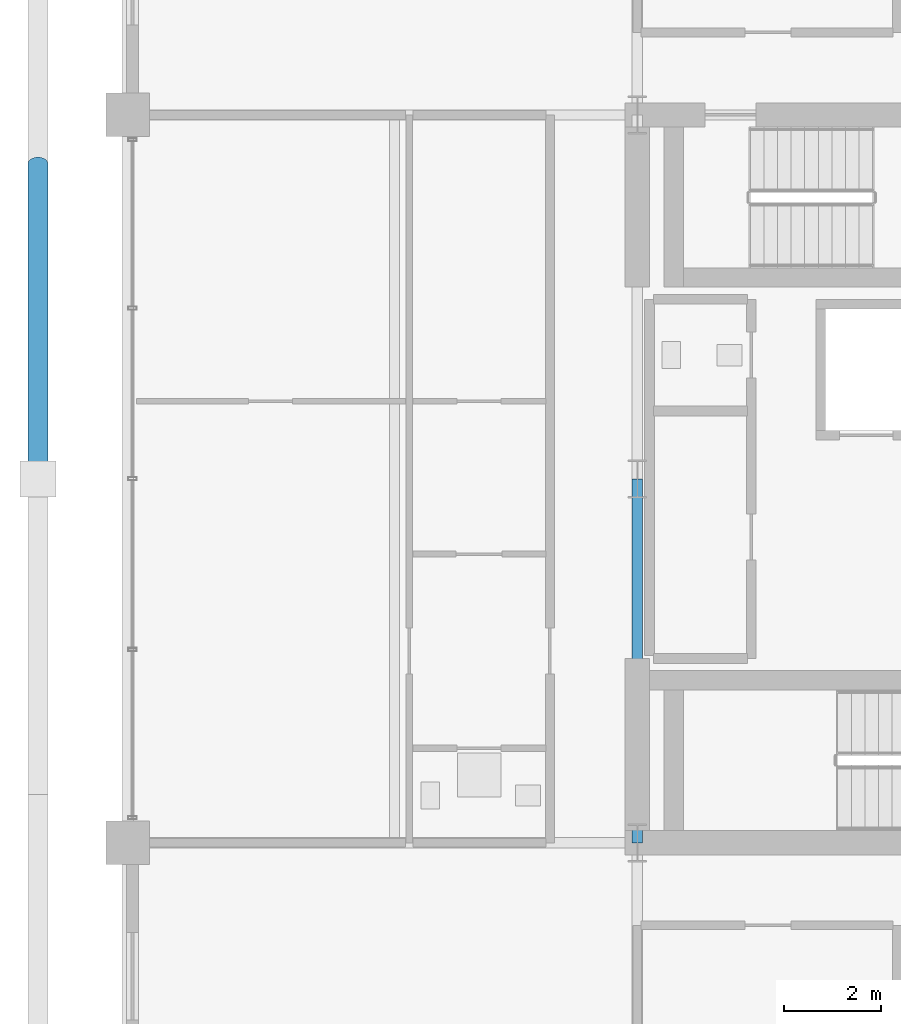
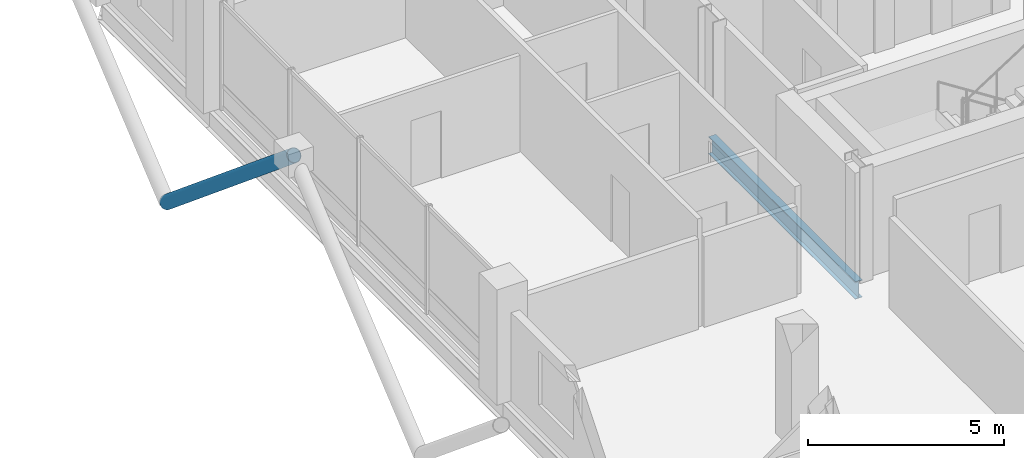
# One storey, part 8 of 23: 1 beam, 1 member.
"""IFC4 building model written with IfcOpenShell, lengths in metres."""

from ifc_helpers import new_model, si_unit, direction, frame, origin, origin_2d, place, context, subcontext, project, spatial, hollow_circle, i_section, extrude, material, material_profile, profile_set, type_object, element, save


model = new_model("IFC4")

# Units and contexts
model_context = context("Model", 3, precision=1e-05, world=origin(), true_north=direction((0.0, 1.0)))
body_context = subcontext(model_context, "Body", "Model", "MODEL_VIEW")
ifc_project = project(units=[si_unit("LENGTHUNIT", "METRE"), si_unit("AREAUNIT", "SQUARE_METRE"), si_unit("VOLUMEUNIT", "CUBIC_METRE"), si_unit("PLANEANGLEUNIT", "RADIAN"), si_unit("MASSUNIT", "GRAM", prefix="KILO")], contexts=[model_context])

# Site, building, storey
site_placement = place(None, origin())
site = spatial("IfcSite", under=ifc_project, at=site_placement, CompositionType="ELEMENT")
building_placement = place(site_placement, origin())
building = spatial("IfcBuilding", under=site, at=building_placement, Name="Barlavira Tower and Art Museum", CompositionType="ELEMENT")
storey_placement = place(building_placement, frame((0.0, 0.0, 290.699951171875)))
storey = spatial("IfcBuildingStorey", under=building, at=storey_placement, Name="L76", CompositionType="ELEMENT", Elevation=290.699951171875)

# Member
ifc_material = material(Name="Steel S355", Category="steel")
ifc_material_profile_1 = material_profile(ifc_material, hollow_circle(Radius=0.203125, WallThickness=0.01611328125, at=origin_2d()), Name="CHS 406.4x16.0")
ifc_profile_set_1 = profile_set([ifc_material_profile_1], Name="Steel S355")
member_type = type_object("IfcMemberType", Name="Pale-Metal Exoskeleton Diagrid Tube CHS 406x16 Steel S355", PredefinedType="BRACE", material=ifc_profile_set_1)
member_placement = place(storey_placement, frame((-18.85009765625, 6.5, -1.919921875), z_axis=(0.0, -0.769196053329, 0.639012857104), x_axis=(1.0, 0.0, 0.0)))
element("IfcMember", 1, at=member_placement, inside=storey, type_object=member_type, Name="L76 Exoskeleton Diagrid Tube W", PredefinedType="BRACE", context=body_context, shape_type="SweptSolid", body=[
    extrude(hollow_circle(Radius=0.203125, WallThickness=0.01611328125, at=origin_2d()), origin(), (0.0, 0.0, 1.0), 8.450439453125),
])

# Beam
ifc_material_profile_2 = material_profile(ifc_material, i_section(OverallWidth=0.2109375, OverallDepth=0.5390625, WebThickness=0.01171875, FlangeThickness=0.018798828125, at=origin_2d()), Name="W530x109.0")
ifc_profile_set_2 = profile_set([ifc_material_profile_2], Name="Steel S355")
beam_type = type_object("IfcBeamType", Name="Zone 3-4 Primary Floor Girder W530x109 Steel S355", PredefinedType="BEAM", material=ifc_profile_set_2)
beam_placement = place(storey_placement, frame((-6.5, -7.5, -0.489501953125), z_axis=(0.0, 1.0, 0.0), x_axis=(-1.0, 0.0, 0.0)))
element("IfcBeam", 2, at=beam_placement, inside=storey, type_object=beam_type, Name="L76 Girder C-W1", PredefinedType="BEAM", context=body_context, shape_type="SweptSolid", body=[
    extrude(i_section(OverallWidth=0.2109375, OverallDepth=0.5390625, WebThickness=0.01171875, FlangeThickness=0.018798828125, at=origin_2d()), origin(), (0.0, 0.0, 1.0), 7.5),
])

save(model, "model.ifc")
